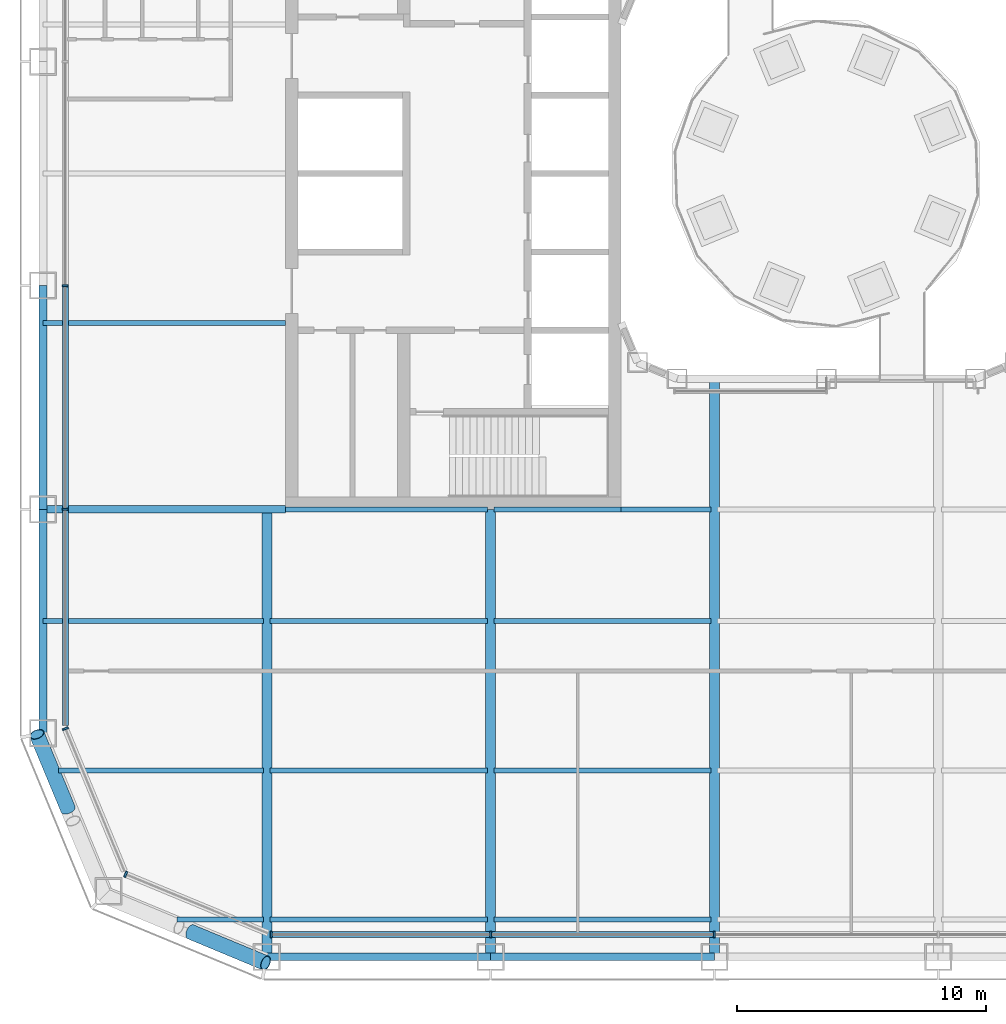
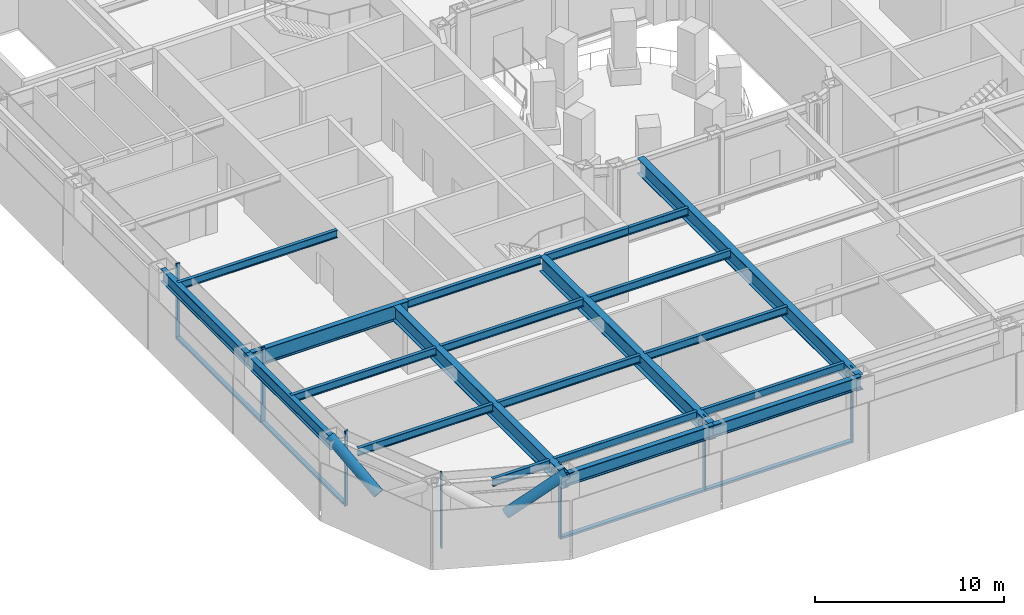
# One storey, part 2 of 25: 21 beams, 13 members, 4 elements without a shape of their own.
"""IFC4 building model written with IfcOpenShell, lengths in metres."""

from ifc_helpers import new_model, si_unit, direction, frame, origin, origin_2d, place, context, subcontext, project, spatial, rectangle, hollow_circle, i_section, extrude, material, layer, layer_set, material_profile, profile_set, type_object, element, aggregate, save


model = new_model("IFC4")

# Units and contexts
model_context = context("Model", 3, precision=1e-05, world=origin(), true_north=direction((0.0, 1.0)))
body_context = subcontext(model_context, "Body", "Model", "MODEL_VIEW")
ifc_project = project(units=[si_unit("LENGTHUNIT", "METRE"), si_unit("AREAUNIT", "SQUARE_METRE"), si_unit("VOLUMEUNIT", "CUBIC_METRE"), si_unit("PLANEANGLEUNIT", "RADIAN"), si_unit("MASSUNIT", "GRAM", prefix="KILO")], contexts=[model_context])

# Site, building, storey
site_placement = place(None, origin())
site = spatial("IfcSite", under=ifc_project, at=site_placement, CompositionType="ELEMENT")
building_placement = place(site_placement, origin())
building = spatial("IfcBuilding", under=site, at=building_placement, Name="Siwar Civic Tower", CompositionType="ELEMENT")
storey_placement = place(building_placement, frame((0.0, 0.0, 17.199951171875)))
storey = spatial("IfcBuildingStorey", under=building, at=storey_placement, Name="L03", CompositionType="ELEMENT", Elevation=17.199951171875)

# Curtain wall, members
ifc_material_1 = material(Name="Aluminium and glass", Category="aluminium")
ifc_layer_1 = layer(ifc_material_1, 0.25)
ifc_layer_set_1 = layer_set([ifc_layer_1], Name="Aluminium and glass")
curtain_wall_type_1 = type_object("IfcCurtainWallType", Name="ENV-CW-H", PredefinedType="NOTDEFINED", material=ifc_layer_set_1)
curtain_wall_1_placement = place(storey_placement, origin())
curtain_wall_1 = element("IfcCurtainWall", 1, at=curtain_wall_1_placement, inside=storey, type_object=curtain_wall_type_1, Name="Curtain wall H S", PredefinedType="NOTDEFINED")
ifc_material_2 = material(Name="Aluminium 6063-T6", Category="aluminium")
ifc_material_profile_1 = material_profile(ifc_material_2, rectangle(XDim=0.25, YDim=0.080078125, at=origin_2d()), Name="AL 250x80")
ifc_profile_set_1 = profile_set([ifc_material_profile_1], Name="Aluminium 6063-T6")
member_type_1 = type_object("IfcMemberType", Name="ENV-MULLION-H", PredefinedType="MULLION", material=ifc_profile_set_1)
member_1_placement = place(storey_placement, frame((-22.321044921875, -30.60009765625, 0.0), z_axis=(0.0, 0.0, 1.0), x_axis=(0.0, 1.0, 0.0)))
member_1 = element("IfcMember", 2, at=member_1_placement, type_object=member_type_1, Name="Mullion H S 1", PredefinedType="MULLION", context=body_context, shape_type="SweptSolid", body=[
    extrude(rectangle(XDim=0.25, YDim=0.080078125, at=origin_2d()), origin(), (0.0, 0.0, 1.0), 4.85009765625),
])
member_2_placement = place(storey_placement, frame((-13.5, -30.60009765625, 0.0), z_axis=(0.0, 0.0, 1.0), x_axis=(0.0, 1.0, 0.0)))
member_2 = element("IfcMember", 3, at=member_2_placement, type_object=member_type_1, Name="Mullion H S 2", PredefinedType="MULLION", context=body_context, shape_type="SweptSolid", body=[
    extrude(rectangle(XDim=0.25, YDim=0.080078125, at=origin_2d()), origin(), (0.0, 0.0, 1.0), 4.85009765625),
])
member_3_placement = place(storey_placement, frame((-4.5, -30.60009765625, 0.0), z_axis=(0.0, 0.0, 1.0), x_axis=(0.0, 1.0, 0.0)))
member_3 = element("IfcMember", 4, at=member_3_placement, type_object=member_type_1, Name="Mullion H S 3", PredefinedType="MULLION", context=body_context, shape_type="SweptSolid", body=[
    extrude(rectangle(XDim=0.25, YDim=0.080078125, at=origin_2d()), origin(), (0.0, 0.0, 1.0), 4.85009765625),
])

curtain_wall_2_placement = place(storey_placement, origin())
curtain_wall_2 = element("IfcCurtainWall", 5, at=curtain_wall_2_placement, inside=storey, type_object=curtain_wall_type_1, Name="Curtain wall H W", PredefinedType="NOTDEFINED")
member_4_placement = place(storey_placement, frame((-30.60009765625, -4.5, 0.0), z_axis=(0.0, 0.0, 1.0), x_axis=(1.0, 0.0, 0.0)))
member_4 = element("IfcMember", 6, at=member_4_placement, type_object=member_type_1, Name="Mullion H W 4", PredefinedType="MULLION", context=body_context, shape_type="SweptSolid", body=[
    extrude(rectangle(XDim=0.25, YDim=0.080078125, at=origin_2d()), origin(), (0.0, 0.0, 1.0), 4.85009765625),
])
member_5_placement = place(storey_placement, frame((-30.60009765625, -13.5, 0.0), z_axis=(0.0, 0.0, 1.0), x_axis=(1.0, 0.0, 0.0)))
member_5 = element("IfcMember", 7, at=member_5_placement, type_object=member_type_1, Name="Mullion H W 5", PredefinedType="MULLION", context=body_context, shape_type="SweptSolid", body=[
    extrude(rectangle(XDim=0.25, YDim=0.080078125, at=origin_2d()), origin(), (0.0, 0.0, 1.0), 4.85009765625),
])

# Curtain wall, member
ifc_material_3 = material(Name="Aluminium clad insulated panel", Category="aluminium")
ifc_layer_2 = layer(ifc_material_3, 0.25)
ifc_layer_set_2 = layer_set([ifc_layer_2], Name="Aluminium clad insulated panel")
curtain_wall_type_2 = type_object("IfcCurtainWallType", Name="ENV-CW-HX", PredefinedType="NOTDEFINED", material=ifc_layer_set_2)
curtain_wall_3_placement = place(storey_placement, origin())
curtain_wall_3 = element("IfcCurtainWall", 8, at=curtain_wall_3_placement, inside=storey, type_object=curtain_wall_type_2, Name="Curtain wall H SW1", PredefinedType="NOTDEFINED")
member_6_placement = place(storey_placement, frame((-30.60009765625, -22.321044921875, 0.0), z_axis=(0.0, 0.0, 1.0), x_axis=(0.923879532511, 0.382683432365, 0.0)))
member_6 = element("IfcMember", 9, at=member_6_placement, type_object=member_type_1, Name="Mullion H SW1 1", PredefinedType="MULLION", context=body_context, shape_type="SweptSolid", body=[
    extrude(rectangle(XDim=0.25, YDim=0.080078125, at=origin_2d()), origin(), (0.0, 0.0, 1.0), 4.85009765625),
])
aggregate(curtain_wall_3, [member_6])

curtain_wall_4_placement = place(storey_placement, origin())
curtain_wall_4 = element("IfcCurtainWall", 10, at=curtain_wall_4_placement, inside=storey, type_object=curtain_wall_type_2, Name="Curtain wall H SW2", PredefinedType="NOTDEFINED")
member_7_placement = place(storey_placement, frame((-28.175048828125, -28.175048828125, 0.0), z_axis=(0.0, 0.0, 1.0), x_axis=(0.382683432365, 0.923879532511, 0.0)))
member_7 = element("IfcMember", 11, at=member_7_placement, type_object=member_type_1, Name="Mullion H SW2 1", PredefinedType="MULLION", context=body_context, shape_type="SweptSolid", body=[
    extrude(rectangle(XDim=0.25, YDim=0.080078125, at=origin_2d()), origin(), (0.0, 0.0, 1.0), 4.85009765625),
])
aggregate(curtain_wall_4, [member_7])

# Member
ifc_material_4 = material(Name="Aluminium 6063-T6", Category="aluminium")
ifc_material_profile_2 = material_profile(ifc_material_4, rectangle(XDim=0.25, YDim=0.139892578125, at=origin_2d()), Name="AL 250x140")
ifc_profile_set_2 = profile_set([ifc_material_profile_2], Name="Aluminium 6063-T6")
member_type_2 = type_object("IfcMemberType", Name="ENV-TRANSOM-H", PredefinedType="USERDEFINED", material=ifc_profile_set_2)
member_8_placement = place(storey_placement, frame((-22.281005859375, -30.60009765625, 0.070068359375), z_axis=(1.0, 0.0, 0.0), x_axis=(0.0, 1.0, 0.0)))
member_8 = element("IfcMember", 12, at=member_8_placement, type_object=member_type_2, Name="Transom H S 1", ObjectType="TRANSOM", PredefinedType="USERDEFINED", context=body_context, shape_type="SweptSolid", body=[
    extrude(rectangle(XDim=0.25, YDim=0.139892578125, at=origin_2d()), origin(), (0.0, 0.0, 1.0), 8.740966796875),
])

member_9_placement = place(storey_placement, frame((-13.4599609375, -30.60009765625, 0.070068359375), z_axis=(1.0, 0.0, 0.0), x_axis=(0.0, 1.0, 0.0)))
member_9 = element("IfcMember", 13, at=member_9_placement, type_object=member_type_2, Name="Transom H S 2", ObjectType="TRANSOM", PredefinedType="USERDEFINED", context=body_context, shape_type="SweptSolid", body=[
    extrude(rectangle(XDim=0.25, YDim=0.139892578125, at=origin_2d()), origin(), (0.0, 0.0, 1.0), 8.919921875),
])

aggregate(curtain_wall_1, [member_1, member_2, member_3, member_8, member_9])

member_10_placement = place(storey_placement, frame((-30.60009765625, -4.5400390625, 0.070068359375), z_axis=(0.0, -1.0, 0.0), x_axis=(1.0, 0.0, 0.0)))
member_10 = element("IfcMember", 14, at=member_10_placement, type_object=member_type_2, Name="Transom H W 4", ObjectType="TRANSOM", PredefinedType="USERDEFINED", context=body_context, shape_type="SweptSolid", body=[
    extrude(rectangle(XDim=0.25, YDim=0.139892578125, at=origin_2d()), origin(), (0.0, 0.0, 1.0), 8.919921875),
])

member_11_placement = place(storey_placement, frame((-30.60009765625, -13.5400390625, 0.070068359375), z_axis=(0.0, -1.0, 0.0), x_axis=(1.0, 0.0, 0.0)))
member_11 = element("IfcMember", 15, at=member_11_placement, type_object=member_type_2, Name="Transom H W 5", ObjectType="TRANSOM", PredefinedType="USERDEFINED", context=body_context, shape_type="SweptSolid", body=[
    extrude(rectangle(XDim=0.25, YDim=0.139892578125, at=origin_2d()), origin(), (0.0, 0.0, 1.0), 8.644287109375),
])

aggregate(curtain_wall_2, [member_4, member_5, member_10, member_11])

# Members
ifc_material_5 = material(Name="Steel S355", Category="steel")
ifc_material_profile_3 = material_profile(ifc_material_5, hollow_circle(Radius=0.304931640625, WallThickness=0.030029296875, at=origin_2d()), Name="CHS610x30")
ifc_profile_set_3 = profile_set([ifc_material_profile_3], Name="Steel S355")
member_type_3 = type_object("IfcMemberType", Name="STR-BR-CHS610x30", PredefinedType="BRACE", material=ifc_profile_set_3)
for number, where, z_axis, x_axis, name in (
    (16, (-25.5556640625, -30.49267578125, 2.684326171875), (0.752367191316, -0.313384515382, 0.57942536616), (0.384508939914, 0.923121267833, 0.0), "L03/brc/ASW1-2-0-3"),
    (17, (-30.49267578125, -25.5556640625, 2.684326171875), (-0.313384515382, 0.752367191316, 0.57942536616), (-0.923121267833, -0.384508939914, 0.0), "L03/brc/ASW1-2-0-5"),
):
    element("IfcMember", number, at=place(storey_placement, frame(where, z_axis=z_axis, x_axis=x_axis)), inside=storey, type_object=member_type_3, Name=name, PredefinedType="BRACE", context=body_context, shape_type="SweptSolid", body=[
        extrude(hollow_circle(Radius=0.304931640625, WallThickness=0.030029296875, at=origin_2d()), origin(), (0.0, 0.0, 1.0), 3.99658203125),
    ])

# Beams
ifc_material_6 = material(Name="Steel S355", Category="steel")
ifc_material_profile_4 = material_profile(ifc_material_6, i_section(OverallWidth=0.199951171875, OverallDepth=0.5, WebThickness=0.01025390625, FlangeThickness=0.01611328125, FilletRadius=0.02099609375, at=origin_2d()), Name="IPE500")
ifc_profile_set_4 = profile_set([ifc_material_profile_4], Name="Steel S355")
beam_type_1 = type_object("IfcBeamType", Name="STR-FB-IPE500", PredefinedType="JOIST", material=ifc_profile_set_4)
beam_1_placement = place(storey_placement, frame((-26.121337890625, -30.0, 4.60009765625), z_axis=(1.0, 0.0, 0.0), x_axis=(0.0, 1.0, 0.0)))
element("IfcBeam", 18, at=beam_1_placement, inside=storey, type_object=beam_type_1, Name="L03/bm/F001", PredefinedType="JOIST", context=body_context, shape_type="SweptSolid", body=[
    extrude(i_section(OverallWidth=0.199951171875, OverallDepth=0.5, WebThickness=0.01025390625, FlangeThickness=0.01611328125, FilletRadius=0.02099609375, at=origin_2d()), origin(), (0.0, 0.0, 1.0), 3.491455078125),
])
for number, where, z_axis, x_axis, name in (
    (19, (-22.3701171875, -30.0, 4.60009765625), (1.0, 0.0, 0.0), (0.0, 1.0, 0.0), "L03/bm/F002"),
    (20, (-13.3701171875, -30.0, 4.60009765625), (1.0, 0.0, 0.0), (0.0, 1.0, 0.0), "L03/bm/F003"),
):
    element("IfcBeam", number, at=place(storey_placement, frame(where, z_axis=z_axis, x_axis=x_axis)), inside=storey, type_object=beam_type_1, Name=name, PredefinedType="JOIST", context=body_context, shape_type="SweptSolid", body=[
        extrude(i_section(OverallWidth=0.199951171875, OverallDepth=0.5, WebThickness=0.01025390625, FlangeThickness=0.01611328125, FilletRadius=0.02099609375, at=origin_2d()), origin(), (0.0, 0.0, 1.0), 8.740234375),
    ])
beam_2_placement = place(storey_placement, frame((-30.878662109375, -24.0, 4.60009765625), z_axis=(1.0, 0.0, 0.0), x_axis=(0.0, 1.0, 0.0)))
element("IfcBeam", 21, at=beam_2_placement, inside=storey, type_object=beam_type_1, Name="L03/bm/F008", PredefinedType="JOIST", context=body_context, shape_type="SweptSolid", body=[
    extrude(i_section(OverallWidth=0.199951171875, OverallDepth=0.5, WebThickness=0.01025390625, FlangeThickness=0.01611328125, FilletRadius=0.02099609375, at=origin_2d()), origin(), (0.0, 0.0, 1.0), 8.248779296875),
])
for number, where, z_axis, x_axis, name in (
    (22, (-22.3701171875, -24.0, 4.60009765625), (1.0, 0.0, 0.0), (0.0, 1.0, 0.0), "L03/bm/F009"),
    (23, (-13.3701171875, -24.0, 4.60009765625), (1.0, 0.0, 0.0), (0.0, 1.0, 0.0), "L03/bm/F010"),
):
    element("IfcBeam", number, at=place(storey_placement, frame(where, z_axis=z_axis, x_axis=x_axis)), inside=storey, type_object=beam_type_1, Name=name, PredefinedType="JOIST", context=body_context, shape_type="SweptSolid", body=[
        extrude(i_section(OverallWidth=0.199951171875, OverallDepth=0.5, WebThickness=0.01025390625, FlangeThickness=0.01611328125, FilletRadius=0.02099609375, at=origin_2d()), origin(), (0.0, 0.0, 1.0), 8.740234375),
    ])
beam_3_placement = place(storey_placement, frame((-31.5, -18.0, 4.60009765625), z_axis=(1.0, 0.0, 0.0), x_axis=(0.0, 1.0, 0.0)))
element("IfcBeam", 24, at=beam_3_placement, inside=storey, type_object=beam_type_1, Name="L03/bm/F014", PredefinedType="JOIST", context=body_context, shape_type="SweptSolid", body=[
    extrude(i_section(OverallWidth=0.199951171875, OverallDepth=0.5, WebThickness=0.01025390625, FlangeThickness=0.01611328125, FilletRadius=0.02099609375, at=origin_2d()), origin(), (0.0, 0.0, 1.0), 8.8701171875),
])
for number, where, z_axis, x_axis, name in (
    (25, (-22.3701171875, -18.0, 4.60009765625), (1.0, 0.0, 0.0), (0.0, 1.0, 0.0), "L03/bm/F015"),
    (26, (-13.3701171875, -18.0, 4.60009765625), (1.0, 0.0, 0.0), (0.0, 1.0, 0.0), "L03/bm/F016"),
):
    element("IfcBeam", number, at=place(storey_placement, frame(where, z_axis=z_axis, x_axis=x_axis)), inside=storey, type_object=beam_type_1, Name=name, PredefinedType="JOIST", context=body_context, shape_type="SweptSolid", body=[
        extrude(i_section(OverallWidth=0.199951171875, OverallDepth=0.5, WebThickness=0.01025390625, FlangeThickness=0.01611328125, FilletRadius=0.02099609375, at=origin_2d()), origin(), (0.0, 0.0, 1.0), 8.740234375),
    ])
beam_4_placement = place(storey_placement, frame((-21.75, -13.5, 4.60009765625), z_axis=(1.0, 0.0, 0.0), x_axis=(0.0, 1.0, 0.0)))
element("IfcBeam", 27, at=beam_4_placement, inside=storey, type_object=beam_type_1, Name="L03/bm/F021", PredefinedType="JOIST", context=body_context, shape_type="SweptSolid", body=[
    extrude(i_section(OverallWidth=0.199951171875, OverallDepth=0.5, WebThickness=0.01025390625, FlangeThickness=0.01611328125, FilletRadius=0.02099609375, at=origin_2d()), origin(), (0.0, 0.0, 1.0), 8.1201171875),
])
beam_5_placement = place(storey_placement, frame((-13.3701171875, -13.5, 4.60009765625), z_axis=(1.0, 0.0, 0.0), x_axis=(0.0, 1.0, 0.0)))
element("IfcBeam", 28, at=beam_5_placement, inside=storey, type_object=beam_type_1, Name="L03/bm/F022", PredefinedType="JOIST", context=body_context, shape_type="SweptSolid", body=[
    extrude(i_section(OverallWidth=0.199951171875, OverallDepth=0.5, WebThickness=0.01025390625, FlangeThickness=0.01611328125, FilletRadius=0.02099609375, at=origin_2d()), origin(), (0.0, 0.0, 1.0), 5.1201171875),
])
beam_6_placement = place(storey_placement, frame((-8.25, -13.5, 4.60009765625), z_axis=(1.0, 0.0, 0.0), x_axis=(0.0, 1.0, 0.0)))
element("IfcBeam", 29, at=beam_6_placement, inside=storey, type_object=beam_type_1, Name="L03/bm/F023", PredefinedType="JOIST", context=body_context, shape_type="SweptSolid", body=[
    extrude(i_section(OverallWidth=0.199951171875, OverallDepth=0.5, WebThickness=0.01025390625, FlangeThickness=0.01611328125, FilletRadius=0.02099609375, at=origin_2d()), origin(), (0.0, 0.0, 1.0), 3.6201171875),
])
beam_7_placement = place(storey_placement, frame((-31.5, -6.0, 4.60009765625), z_axis=(1.0, 0.0, 0.0), x_axis=(0.0, 1.0, 0.0)))
element("IfcBeam", 30, at=beam_7_placement, inside=storey, type_object=beam_type_1, Name="L03/bm/F029", PredefinedType="JOIST", context=body_context, shape_type="SweptSolid", body=[
    extrude(i_section(OverallWidth=0.199951171875, OverallDepth=0.5, WebThickness=0.01025390625, FlangeThickness=0.01611328125, FilletRadius=0.02099609375, at=origin_2d()), origin(), (0.0, 0.0, 1.0), 9.75),
])
ifc_material_7 = material(Name="Steel S355", Category="steel")
ifc_material_profile_5 = material_profile(ifc_material_7, i_section(OverallWidth=0.300048828125, OverallDepth=1.0, WebThickness=0.01904296875, FlangeThickness=0.035888671875, FilletRadius=0.030029296875, at=origin_2d()), Name="HEB1000")
ifc_profile_set_5 = profile_set([ifc_material_profile_5], Name="Steel S355")
beam_type_2 = type_object("IfcBeamType", Name="STR-PG-HEB1000", PredefinedType="BEAM", material=ifc_profile_set_5)
beam_8_placement = place(storey_placement, frame((-31.5, -13.5, 4.35009765625), z_axis=(1.0, 0.0, 0.0), x_axis=(0.0, 1.0, 0.0)))
element("IfcBeam", 31, at=beam_8_placement, inside=storey, type_object=beam_type_2, Name="L03/bm/F020", PredefinedType="BEAM", context=body_context, shape_type="SweptSolid", body=[
    extrude(i_section(OverallWidth=0.300048828125, OverallDepth=1.0, WebThickness=0.01904296875, FlangeThickness=0.035888671875, FilletRadius=0.030029296875, at=origin_2d()), origin(), (0.0, 0.0, 1.0), 9.75),
])
ifc_material_8 = material(Name="Steel S355", Category="steel")
ifc_material_profile_6 = material_profile(ifc_material_8, i_section(OverallWidth=0.39990234375, OverallDepth=1.0, WebThickness=0.01611328125, FlangeThickness=0.0400390625, at=origin_2d()), Name="PG1000x400x16x40")
ifc_profile_set_6 = profile_set([ifc_material_profile_6], Name="Steel S355")
beam_type_3 = type_object("IfcBeamType", Name="STR-PG-PG1000x400x16x40", PredefinedType="BEAM", material=ifc_profile_set_6)
for number, where, z_axis, x_axis, name in (
    (32, (-22.5, -31.5, 4.35009765625), (0.0, 1.0, 0.0), (-1.0, 0.0, 0.0), "L03/bm/G01"),
    (33, (-13.5, -31.5, 4.35009765625), (0.0, 1.0, 0.0), (-1.0, 0.0, 0.0), "L03/bm/G03"),
):
    element("IfcBeam", number, at=place(storey_placement, frame(where, z_axis=z_axis, x_axis=x_axis)), inside=storey, type_object=beam_type_3, Name=name, PredefinedType="BEAM", context=body_context, shape_type="SweptSolid", body=[
        extrude(i_section(OverallWidth=0.39990234375, OverallDepth=1.0, WebThickness=0.01611328125, FlangeThickness=0.0400390625, at=origin_2d()), origin(), (0.0, 0.0, 1.0), 18.0),
    ])
beam_9_placement = place(storey_placement, frame((-4.5, -31.5, 4.35009765625), z_axis=(0.0, 1.0, 0.0), x_axis=(-1.0, 0.0, 0.0)))
element("IfcBeam", 34, at=beam_9_placement, inside=storey, type_object=beam_type_3, Name="L03/bm/G05", PredefinedType="BEAM", context=body_context, shape_type="SweptSolid", body=[
    extrude(i_section(OverallWidth=0.39990234375, OverallDepth=1.0, WebThickness=0.01611328125, FlangeThickness=0.0400390625, at=origin_2d()), origin(), (0.0, 0.0, 1.0), 23.25),
])
ifc_material_9 = material(Name="Steel S355", Category="steel")
ifc_material_profile_7 = material_profile(ifc_material_9, i_section(OverallWidth=0.302978515625, OverallDepth=0.81396484375, WebThickness=0.02099609375, FlangeThickness=0.0400390625, FilletRadius=0.030029296875, at=origin_2d()), Name="HEM800")
ifc_profile_set_7 = profile_set([ifc_material_profile_7], Name="Steel S355")
beam_type_4 = type_object("IfcBeamType", Name="STR-SB-HEM800", PredefinedType="BEAM", material=ifc_profile_set_7)
for number, where, z_axis, x_axis, name in (
    (35, (-22.5, -31.5, 4.443115234375), (1.0, 0.0, 0.0), (0.0, 1.0, 0.0), "L03/bm/SS-0"),
    (36, (-13.5, -31.5, 4.443115234375), (1.0, 0.0, 0.0), (0.0, 1.0, 0.0), "L03/bm/SS-1"),
    (37, (-31.5, -4.5, 4.443115234375), (0.0, -1.0, 0.0), (1.0, 0.0, 0.0), "L03/bm/SW-3"),
    (38, (-31.5, -13.5, 4.443115234375), (0.0, -1.0, 0.0), (1.0, 0.0, 0.0), "L03/bm/SW-4"),
):
    element("IfcBeam", number, at=place(storey_placement, frame(where, z_axis=z_axis, x_axis=x_axis)), inside=storey, type_object=beam_type_4, Name=name, PredefinedType="BEAM", context=body_context, shape_type="SweptSolid", body=[
        extrude(i_section(OverallWidth=0.302978515625, OverallDepth=0.81396484375, WebThickness=0.02099609375, FlangeThickness=0.0400390625, FilletRadius=0.030029296875, at=origin_2d()), origin(), (0.0, 0.0, 1.0), 9.0),
    ])

save(model, "model.ifc")
